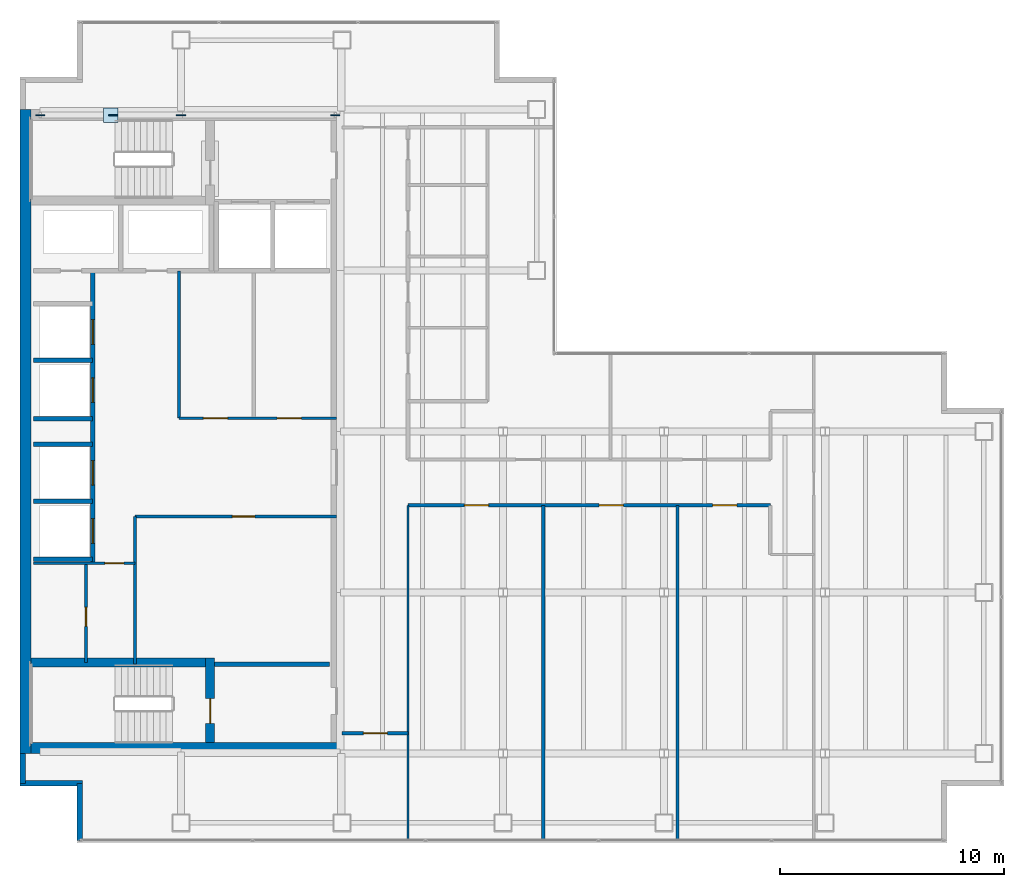
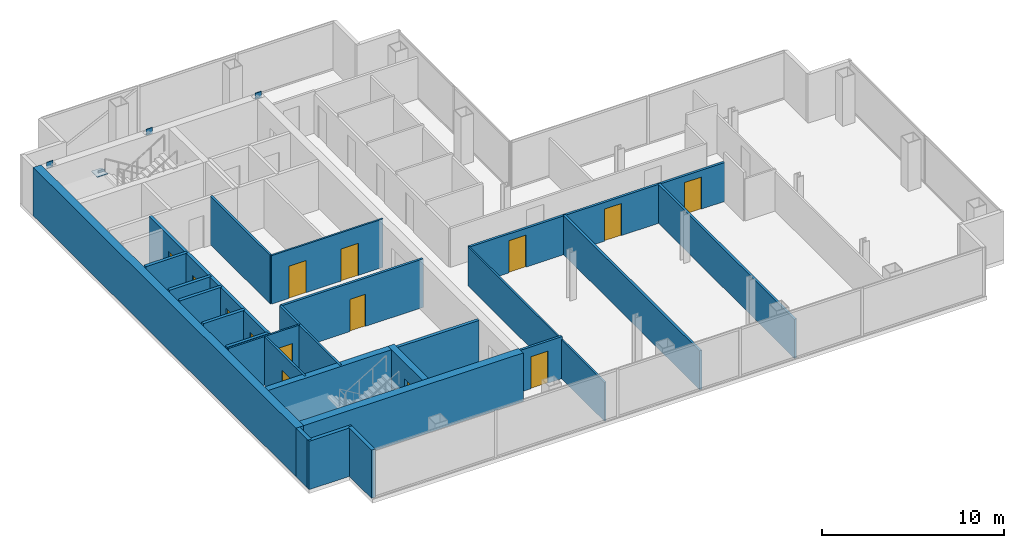
# One storey, part 20 of 23: 26 walls, 14 doors, 5 plates, 14 openings.
"""IFC4 building model written with IfcOpenShell, lengths in metres."""

from ifc_helpers import new_model, si_unit, direction, frame, frame_2d, origin, origin_2d, place, context, subcontext, project, spatial, rectangle, extrude, material, layer, layer_set, type_object, element, fill, save


model = new_model("IFC4")

# Units and contexts
model_context = context("Model", 3, precision=1e-05, world=origin(), true_north=direction((0.0, 1.0)))
body_context = subcontext(model_context, "Body", "Model", "MODEL_VIEW")
ifc_project = project(units=[si_unit("LENGTHUNIT", "METRE"), si_unit("AREAUNIT", "SQUARE_METRE"), si_unit("VOLUMEUNIT", "CUBIC_METRE"), si_unit("PLANEANGLEUNIT", "RADIAN"), si_unit("MASSUNIT", "GRAM", prefix="KILO")], contexts=[model_context])

# Site, building, storey
site_placement = place(None, origin())
site = spatial("IfcSite", under=ifc_project, at=site_placement, CompositionType="ELEMENT")
building_placement = place(site_placement, origin())
building = spatial("IfcBuilding", under=site, at=building_placement, Name="Cobrela Telecom Tower", CompositionType="ELEMENT")
storey_placement = place(building_placement, frame((0.0, 0.0, 194.25)))
storey = spatial("IfcBuildingStorey", under=building, at=storey_placement, Name="L49", CompositionType="ELEMENT", Elevation=194.25)

# Plates
ifc_material_1 = material(Name="Steel ASTM A572 Grade 50", Category="steel")
ifc_layer_1 = layer(ifc_material_1, 0.0419921875)
ifc_layer_set_1 = layer_set([ifc_layer_1], Name="Steel ASTM A572 Grade 50")
plate_type = type_object("IfcPlateType", Name="PLT-NODE-ND1", PredefinedType="USERDEFINED", material=ifc_layer_set_1)
for number, where, z_axis, x_axis, name in (
    (1, (7.199951171875, 35.75, 3.0751953125), (0.0, 0.0, 1.0), (1.0, 0.0, 0.0), "Steel node plate PLT-MBR-EXO-L49-N1-A-1"),
    (2, (4.173828125, 35.75, 1.349609375), (0.0, 0.0, 1.0), (-1.0, 0.0, 0.0), "Steel node plate PLT-MBR-EXO-L49-N1-B1-1"),
    (3, (0.89990234375, 35.75, 3.0751953125), (0.0, 0.0, 1.0), (-1.0, 0.0, 0.0), "Steel node plate PLT-MBR-EXO-L49-N1-B2-1"),
):
    element("IfcPlate", number, at=place(storey_placement, frame(where, z_axis=z_axis, x_axis=x_axis)), inside=storey, type_object=plate_type, Name=name, ObjectType="GUSSET PLATE", PredefinedType="USERDEFINED", context=body_context, shape_type="SweptSolid", body=[
        extrude(rectangle(XDim=0.409912109375, YDim=0.044921875, at=origin_2d()), origin(), (0.0, 0.0, 1.0), 0.409912109375),
    ])
plate_1_placement = place(storey_placement, frame((4.050048828125, 35.75, 1.59765625), z_axis=(0.0, 0.0, 1.0), x_axis=(1.0, 0.0, 0.0)))
element("IfcPlate", 4, at=plate_1_placement, inside=storey, type_object=plate_type, Name="L49 Core Flange Steel X-Brace Central X-Crossing Gusset Plate", ObjectType="GUSSET PLATE", PredefinedType="USERDEFINED", context=body_context, shape_type="SweptSolid", body=[
    extrude(rectangle(XDim=0.64990234375, YDim=0.64990234375, at=origin_2d()), origin(), (0.0, 0.0, 1.0), 0.044921875),
])
plate_2_placement = place(storey_placement, frame((14.10009765625, 35.75, 3.0751953125), z_axis=(0.0, 0.0, 1.0), x_axis=(1.0, 0.0, 0.0)))
element("IfcPlate", 5, at=plate_2_placement, inside=storey, type_object=plate_type, Name="Steel node plate PLT-MBR-EXO-L49-N2-1", ObjectType="GUSSET PLATE", PredefinedType="USERDEFINED", context=body_context, shape_type="SweptSolid", body=[
    extrude(rectangle(XDim=0.409912109375, YDim=0.044921875, at=origin_2d()), origin(), (0.0, 0.0, 1.0), 0.409912109375),
])

# Walls
ifc_material_2 = material(Name="Concrete C40/50", Category="concrete")
ifc_layer_2 = layer(ifc_material_2, 0.5)
ifc_layer_set_2 = layer_set([ifc_layer_2], Name="Concrete C40/50")
wall_type_1 = type_object("IfcWallType", Name="WALL-CORE-C40-500", PredefinedType="SHEAR", material=ifc_layer_set_2)
wall_1_placement = place(storey_placement, frame((0.25, 7.199951171875, 0.0), z_axis=(0.0, 0.0, 1.0), x_axis=(0.0, 1.0, 0.0)))
element("IfcWall", 6, at=wall_1_placement, inside=storey, type_object=wall_type_1, Name="L49 West Core Shear Wall", PredefinedType="SHEAR", context=body_context, shape_type="SweptSolid", body=[
    extrude(rectangle(XDim=28.800048828125, YDim=0.5, at=frame_2d((14.39990234375, 0.0))), origin(), (0.0, 0.0, 1.0), 3.239990234375),
])
wall_2_placement = place(storey_placement, frame((0.5, 7.449951171875, 0.0), z_axis=(0.0, 0.0, 1.0), x_axis=(1.0, 0.0, 0.0)))
element("IfcWall", 7, at=wall_2_placement, inside=storey, type_object=wall_type_1, Name="L49 South Core Shear Wall", PredefinedType="SHEAR", context=body_context, shape_type="SweptSolid", body=[
    extrude(rectangle(XDim=13.89990234375, YDim=0.5, at=frame_2d((6.949951171875, 0.0))), origin(), (0.0, 0.0, 1.0), 3.239990234375),
])
ifc_layer_3 = layer(ifc_material_2, 0.239990234375)
ifc_layer_set_3 = layer_set([ifc_layer_3], Name="Concrete C40/50")
wall_type_2 = type_object("IfcWallType", Name="WALL-EXT-300", PredefinedType="STANDARD", material=ifc_layer_set_3)
wall_3_placement = place(storey_placement, frame((2.669921875, 3.320068359375, 0.0), z_axis=(0.0, 0.0, 1.0), x_axis=(0.0, 1.0, 0.0)))
element("IfcWall", 8, at=wall_3_placement, inside=storey, type_object=wall_type_2, Name="L49 Insulated Facade Wall 01", PredefinedType="STANDARD", context=body_context, shape_type="SweptSolid", body=[
    extrude(rectangle(XDim=2.550048828125, YDim=0.239990234375, at=frame_2d((1.27490234375, 0.0))), origin(), (0.0, 0.0, 1.0), 3.239990234375),
])
wall_4_placement = place(storey_placement, frame((2.7900390625, 5.8701171875, 0.0), z_axis=(0.0, 0.0, 1.0), x_axis=(-1.0, 0.0, 0.0)))
element("IfcWall", 9, at=wall_4_placement, inside=storey, type_object=wall_type_2, Name="L49 Insulated Facade Wall 02", PredefinedType="STANDARD", context=body_context, shape_type="SweptSolid", body=[
    extrude(rectangle(XDim=2.7900390625, YDim=0.239990234375, at=frame_2d((1.39501953125, 0.0))), origin(), (0.0, 0.0, 1.0), 3.239990234375),
])
wall_5_placement = place(storey_placement, frame((0.1201171875, 5.8701171875, 0.0), z_axis=(0.0, 0.0, 1.0), x_axis=(0.0, 1.0, 0.0)))
element("IfcWall", 10, at=wall_5_placement, inside=storey, type_object=wall_type_2, Name="L49 Insulated Facade Wall 03", PredefinedType="STANDARD", context=body_context, shape_type="SweptSolid", body=[
    extrude(rectangle(XDim=1.329833984375, YDim=0.239990234375, at=frame_2d((0.6650390625, 0.0))), origin(), (0.0, 0.0, 1.0), 3.239990234375),
])

# Wall, openings, doors
ifc_material_3 = material(Name="Fire-Rated Gypsum Plasterboard")
ifc_layer_4 = layer(ifc_material_3, 0.110107421875)
ifc_layer_set_4 = layer_set([ifc_layer_4], Name="Fire-Rated Gypsum Plasterboard")
wall_type_3 = type_object("IfcWallType", Name="WALL-PART-110", PredefinedType="PARTITIONING", material=ifc_layer_set_4)
wall_6_placement = place(storey_placement, frame((7.10009765625, 22.199951171875, 0.0), z_axis=(0.0, 0.0, 1.0), x_axis=(1.0, 0.0, 0.0)))
wall_6 = element("IfcWall", 11, at=wall_6_placement, inside=storey, type_object=wall_type_3, Name="L49 Interior Partition CW-RECL-S", PredefinedType="PARTITIONING", context=body_context, shape_type="SweptSolid", body=[
    extrude(rectangle(XDim=7.0498046875, YDim=0.110107421875, at=frame_2d((3.52490234375, 0.0))), origin(), (0.0, 0.0, 1.0), 3.239990234375),
])
opening_1_placement = place(wall_6_placement, frame((1.10009765625, 0.0, 0.0)))
opening_1 = element("IfcOpeningElement", 12, at=opening_1_placement, cuts=wall_6, Name="Opening DR-63", PredefinedType="OPENING", context=body_context, shape_type="SweptSolid", body=[
    extrude(rectangle(XDim=1.080078125, YDim=2.14990234375, at=frame_2d((0.5400390625, 1.074951171875))), frame((0.0, 0.06689453125, 0.0), z_axis=(0.0, -1.0, 0.0), x_axis=(1.0, 0.0, 0.0)), (0.0, 0.0, 1.0), 0.134033203125),
])
opening_2_placement = place(wall_6_placement, frame((4.39990234375, 0.0, 0.0)))
opening_2 = element("IfcOpeningElement", 13, at=opening_2_placement, cuts=wall_6, Name="Opening DR-63", PredefinedType="OPENING", context=body_context, shape_type="SweptSolid", body=[
    extrude(rectangle(XDim=1.080078125, YDim=2.14990234375, at=frame_2d((0.5400390625, 1.074951171875))), frame((0.0, 0.06689453125, 0.0), z_axis=(0.0, -1.0, 0.0), x_axis=(1.0, 0.0, 0.0)), (0.0, 0.0, 1.0), 0.134033203125),
])
ifc_material_4 = material(Name="Solid Engineered Oak Timber", Category="wood")
door_type_1 = type_object("IfcDoorType", Name="DOOR-INT-1080", OperationType="SINGLE_SWING_LEFT", PredefinedType="DOOR", material=ifc_material_4)
door_1_placement = place(opening_1_placement, origin())
door_1 = element("IfcDoor", 14, at=door_1_placement, inside=storey, type_object=door_type_1, Name="L49 Door DR-63", OperationType="SINGLE_SWING_LEFT", OverallHeight=2.14990234375, OverallWidth=1.080078125, PredefinedType="DOOR", context=body_context, shape_type="SweptSolid", body=[
    extrude(rectangle(XDim=1.080078125, YDim=2.14990234375, at=frame_2d((0.5400390625, 1.074951171875))), frame((0.0, 0.02490234375, 0.0), z_axis=(0.0, -1.0, 0.0), x_axis=(1.0, 0.0, 0.0)), (0.0, 0.0, 1.0), 0.050048828125),
])
fill(opening_1, door_1)
door_2_placement = place(opening_2_placement, origin())
door_2 = element("IfcDoor", 15, at=door_2_placement, inside=storey, type_object=door_type_1, Name="L49 Door DR-63", OperationType="SINGLE_SWING_RIGHT", OverallHeight=2.14990234375, OverallWidth=1.080078125, PredefinedType="DOOR", context=body_context, shape_type="SweptSolid", body=[
    extrude(rectangle(XDim=1.080078125, YDim=2.14990234375, at=frame_2d((0.5400390625, 1.074951171875))), frame((0.0, 0.02490234375, 0.0), z_axis=(0.0, -1.0, 0.0), x_axis=(1.0, 0.0, 0.0)), (0.0, 0.0, 1.0), 0.050048828125),
])
fill(opening_2, door_2)

# Wall, opening, door
wall_7_placement = place(storey_placement, frame((0.60009765625, 15.699951171875, 0.0), z_axis=(0.0, 0.0, 1.0), x_axis=(1.0, 0.0, 0.0)))
wall_7 = element("IfcWall", 16, at=wall_7_placement, inside=storey, type_object=wall_type_3, Name="L49 Interior Partition CW-FLEX-N", PredefinedType="PARTITIONING", context=body_context, shape_type="SweptSolid", body=[
    extrude(rectangle(XDim=4.5498046875, YDim=0.110107421875, at=frame_2d((2.27490234375, 0.0))), origin(), (0.0, 0.0, 1.0), 3.239990234375),
])
opening_3_placement = place(wall_7_placement, frame((3.199951171875, 0.0, 0.0)))
opening_3 = element("IfcOpeningElement", 17, at=opening_3_placement, cuts=wall_7, Name="Opening DR-11", PredefinedType="OPENING", context=body_context, shape_type="SweptSolid", body=[
    extrude(rectangle(XDim=0.85009765625, YDim=2.14990234375, at=frame_2d((0.425048828125, 1.074951171875))), frame((0.0, 0.06689453125, 0.0), z_axis=(0.0, -1.0, 0.0), x_axis=(1.0, 0.0, 0.0)), (0.0, 0.0, 1.0), 0.134033203125),
])
door_type_2 = type_object("IfcDoorType", Name="DOOR-INT-850", OperationType="SINGLE_SWING_LEFT", PredefinedType="DOOR", material=ifc_material_4)
door_3_placement = place(opening_3_placement, origin())
door_3 = element("IfcDoor", 18, at=door_3_placement, inside=storey, type_object=door_type_2, Name="L49 Door DR-11", OperationType="SINGLE_SWING_LEFT", OverallHeight=2.14990234375, OverallWidth=0.85009765625, PredefinedType="DOOR", context=body_context, shape_type="SweptSolid", body=[
    extrude(rectangle(XDim=0.85009765625, YDim=2.14990234375, at=frame_2d((0.425048828125, 1.074951171875))), frame((0.0, 0.02490234375, 0.0), z_axis=(0.0, -1.0, 0.0), x_axis=(1.0, 0.0, 0.0)), (0.0, 0.0, 1.0), 0.050048828125),
])
fill(opening_3, door_3)

# Walls
wall_8_placement = place(storey_placement, frame((17.35009765625, 8.10009765625, 0.0), z_axis=(0.0, 0.0, 1.0), x_axis=(0.0, 1.0, 0.0)))
element("IfcWall", 19, at=wall_8_placement, inside=storey, type_object=wall_type_3, Name="L49 Interior Partition W-C-E1", PredefinedType="PARTITIONING", context=body_context, shape_type="SweptSolid", body=[
    extrude(rectangle(XDim=10.199951171875, YDim=0.110107421875, at=frame_2d((5.10009765625, 0.0))), origin(), (0.0, 0.0, 1.0), 2.60302734375),
])
wall_9_placement = place(storey_placement, frame((17.35009765625, 3.320068359375, 0.0), z_axis=(0.0, 0.0, 1.0), x_axis=(0.0, 1.0, 0.0)))
element("IfcWall", 20, at=wall_9_placement, inside=storey, type_object=wall_type_3, Name="L49 Interior Partition W-SW-E", PredefinedType="PARTITIONING", context=body_context, shape_type="SweptSolid", body=[
    extrude(rectangle(XDim=4.780029296875, YDim=0.110107421875, at=frame_2d((2.39013671875, 0.0))), origin(), (0.0, 0.0, 1.0), 2.60302734375),
])

# Wall, opening, door
ifc_layer_5 = layer(ifc_material_3, 0.125)
ifc_layer_set_5 = layer_set([ifc_layer_5], Name="Fire-Rated Gypsum Plasterboard")
wall_type_4 = type_object("IfcWallType", Name="WALL-PART-125", PredefinedType="PARTITIONING", material=ifc_layer_set_5)
wall_10_placement = place(storey_placement, frame((2.949951171875, 11.280029296875, 0.0), z_axis=(0.0, 0.0, 1.0), x_axis=(0.0, 1.0, 0.0)))
wall_10 = element("IfcWall", 21, at=wall_10_placement, inside=storey, type_object=wall_type_4, Name="L49 Interior Partition CW-FK1-V", PredefinedType="PARTITIONING", context=body_context, shape_type="SweptSolid", body=[
    extrude(rectangle(XDim=4.419921875, YDim=0.125, at=frame_2d((2.2099609375, 0.0))), origin(), (0.0, 0.0, 1.0), 3.239990234375),
])
opening_4_placement = place(wall_10_placement, frame((1.60009765625, 0.0, 0.0)))
opening_4 = element("IfcOpeningElement", 22, at=opening_4_placement, cuts=wall_10, Name="Opening DR-11", PredefinedType="OPENING", context=body_context, shape_type="SweptSolid", body=[
    extrude(rectangle(XDim=0.85009765625, YDim=2.14990234375, at=frame_2d((0.425048828125, 1.074951171875))), frame((0.0, 0.074462890625, 0.0), z_axis=(0.0, -1.0, 0.0), x_axis=(1.0, 0.0, 0.0)), (0.0, 0.0, 1.0), 0.14892578125),
])
door_4_placement = place(opening_4_placement, origin())
door_4 = element("IfcDoor", 23, at=door_4_placement, inside=storey, type_object=door_type_2, Name="L49 Door DR-11", OperationType="SINGLE_SWING_RIGHT", OverallHeight=2.14990234375, OverallWidth=0.85009765625, PredefinedType="DOOR", context=body_context, shape_type="SweptSolid", body=[
    extrude(rectangle(XDim=0.85009765625, YDim=2.14990234375, at=frame_2d((0.425048828125, 1.074951171875))), frame((0.0, 0.02490234375, 0.0), z_axis=(0.0, -1.0, 0.0), x_axis=(1.0, 0.0, 0.0)), (0.0, 0.0, 1.0), 0.050048828125),
])
fill(opening_4, door_4)

# Walls
ifc_layer_6 = layer(ifc_material_3, 0.135009765625)
ifc_layer_set_6 = layer_set([ifc_layer_6], Name="Fire-Rated Gypsum Plasterboard")
wall_type_5 = type_object("IfcWallType", Name="WALL-PART-135", PredefinedType="PARTITIONING", material=ifc_layer_set_6)
wall_11_placement = place(storey_placement, frame((7.10009765625, 22.199951171875, 0.0), z_axis=(0.0, 0.0, 1.0), x_axis=(0.0, 1.0, 0.0)))
element("IfcWall", 24, at=wall_11_placement, inside=storey, type_object=wall_type_5, Name="L49 Interior Partition CW-RECL-W", PredefinedType="PARTITIONING", context=body_context, shape_type="SweptSolid", body=[
    extrude(rectangle(XDim=6.580078125, YDim=0.135009765625, at=frame_2d((3.2900390625, 0.0))), origin(), (0.0, 0.0, 1.0), 3.239990234375),
])
wall_12_placement = place(storey_placement, frame((5.14990234375, 11.199951171875, 0.0), z_axis=(0.0, 0.0, 1.0), x_axis=(0.0, 1.0, 0.0)))
element("IfcWall", 25, at=wall_12_placement, inside=storey, type_object=wall_type_5, Name="L49 Interior Partition CW-RECM-W", PredefinedType="PARTITIONING", context=body_context, shape_type="SweptSolid", body=[
    extrude(rectangle(XDim=6.60009765625, YDim=0.135009765625, at=frame_2d((3.300048828125, 0.0))), origin(), (0.0, 0.0, 1.0), 3.239990234375),
])

# Wall, opening, door
ifc_layer_7 = layer(ifc_material_3, 0.14990234375)
ifc_layer_set_7 = layer_set([ifc_layer_7], Name="Fire-Rated Gypsum Plasterboard")
wall_type_6 = type_object("IfcWallType", Name="WALL-PART-150", PredefinedType="PARTITIONING", material=ifc_layer_set_7)
wall_13_placement = place(storey_placement, frame((5.14990234375, 17.800048828125, 0.0), z_axis=(0.0, 0.0, 1.0), x_axis=(1.0, 0.0, 0.0)))
wall_13 = element("IfcWall", 26, at=wall_13_placement, inside=storey, type_object=wall_type_6, Name="L49 Interior Partition CW-RECM-N", PredefinedType="PARTITIONING", context=body_context, shape_type="SweptSolid", body=[
    extrude(rectangle(XDim=9.0, YDim=0.14990234375, at=frame_2d((4.5, 0.0))), origin(), (0.0, 0.0, 1.0), 3.239990234375),
])
opening_5_placement = place(wall_13_placement, frame((4.35009765625, 0.0, 0.0)))
opening_5 = element("IfcOpeningElement", 27, at=opening_5_placement, cuts=wall_13, Name="Opening DR-31", PredefinedType="OPENING", context=body_context, shape_type="SweptSolid", body=[
    extrude(rectangle(XDim=1.0, YDim=2.14990234375, at=frame_2d((0.5, 1.074951171875))), frame((0.0, 0.0869140625, 0.0), z_axis=(0.0, -1.0, 0.0), x_axis=(1.0, 0.0, 0.0)), (0.0, 0.0, 1.0), 0.173828125),
])
door_type_3 = type_object("IfcDoorType", Name="DOOR-INT-1000", OperationType="SINGLE_SWING_LEFT", PredefinedType="DOOR", material=ifc_material_4)
door_5_placement = place(opening_5_placement, origin())
door_5 = element("IfcDoor", 28, at=door_5_placement, inside=storey, type_object=door_type_3, Name="L49 Door DR-31", OperationType="SINGLE_SWING_LEFT", OverallHeight=2.14990234375, OverallWidth=1.0, PredefinedType="DOOR", context=body_context, shape_type="SweptSolid", body=[
    extrude(rectangle(XDim=1.0, YDim=2.14990234375, at=frame_2d((0.5, 1.074951171875))), frame((0.0, 0.02490234375, 0.0), z_axis=(0.0, -1.0, 0.0), x_axis=(1.0, 0.0, 0.0)), (0.0, 0.0, 1.0), 0.050048828125),
])
fill(opening_5, door_5)

wall_14_placement = place(storey_placement, frame((14.39990234375, 8.10009765625, 0.0), z_axis=(0.0, 0.0, 1.0), x_axis=(1.0, 0.0, 0.0)))
wall_14 = element("IfcWall", 29, at=wall_14_placement, inside=storey, type_object=wall_type_6, Name="L49 Interior Partition W-C-S0", PredefinedType="PARTITIONING", context=body_context, shape_type="SweptSolid", body=[
    extrude(rectangle(XDim=2.9501953125, YDim=0.14990234375, at=frame_2d((1.47509765625, 0.0))), origin(), (0.0, 0.0, 1.0), 2.80810546875),
])
opening_6_placement = place(wall_14_placement, frame((0.949951171875, 0.0, 0.0)))
opening_6 = element("IfcOpeningElement", 30, at=opening_6_placement, cuts=wall_14, Name="Opening DR-63", PredefinedType="OPENING", context=body_context, shape_type="SweptSolid", body=[
    extrude(rectangle(XDim=1.080078125, YDim=2.14990234375, at=frame_2d((0.5400390625, 1.074951171875))), frame((0.0, 0.0869140625, 0.0), z_axis=(0.0, -1.0, 0.0), x_axis=(1.0, 0.0, 0.0)), (0.0, 0.0, 1.0), 0.173828125),
])
door_6_placement = place(opening_6_placement, origin())
door_6 = element("IfcDoor", 31, at=door_6_placement, inside=storey, type_object=door_type_1, Name="L49 Door DR-63", OperationType="SINGLE_SWING_RIGHT", OverallHeight=2.14990234375, OverallWidth=1.080078125, PredefinedType="DOOR", context=body_context, shape_type="SweptSolid", body=[
    extrude(rectangle(XDim=1.080078125, YDim=2.14990234375, at=frame_2d((0.5400390625, 1.074951171875))), frame((0.0, 0.02490234375, 0.0), z_axis=(0.0, -1.0, 0.0), x_axis=(1.0, 0.0, 0.0)), (0.0, 0.0, 1.0), 0.050048828125),
])
fill(opening_6, door_6)

# Wall, openings, doors
wall_15_placement = place(storey_placement, frame((17.35009765625, 18.300048828125, 0.0), z_axis=(0.0, 0.0, 1.0), x_axis=(1.0, 0.0, 0.0)))
wall_15 = element("IfcWall", 32, at=wall_15_placement, inside=storey, type_object=wall_type_6, Name="L49 Interior Partition W-C-HS", PredefinedType="PARTITIONING", context=body_context, shape_type="SweptSolid", body=[
    extrude(rectangle(XDim=16.199951171875, YDim=0.14990234375, at=frame_2d((8.10009765625, 0.0))), origin(), (0.0, 0.0, 1.0), 2.60302734375),
])
opening_7_placement = place(wall_15_placement, frame((2.52001953125, 0.0, 0.0)))
opening_7 = element("IfcOpeningElement", 33, at=opening_7_placement, cuts=wall_15, Name="Opening DR-63", PredefinedType="OPENING", context=body_context, shape_type="SweptSolid", body=[
    extrude(rectangle(XDim=1.080078125, YDim=2.14990234375, at=frame_2d((0.5400390625, 1.074951171875))), frame((0.0, 0.0869140625, 0.0), z_axis=(0.0, -1.0, 0.0), x_axis=(1.0, 0.0, 0.0)), (0.0, 0.0, 1.0), 0.173828125),
])
opening_8_placement = place(wall_15_placement, frame((8.550048828125, 0.0, 0.0)))
opening_8 = element("IfcOpeningElement", 34, at=opening_8_placement, cuts=wall_15, Name="Opening DR-63", PredefinedType="OPENING", context=body_context, shape_type="SweptSolid", body=[
    extrude(rectangle(XDim=1.080078125, YDim=2.14990234375, at=frame_2d((0.5400390625, 1.074951171875))), frame((0.0, 0.0869140625, 0.0), z_axis=(0.0, -1.0, 0.0), x_axis=(1.0, 0.0, 0.0)), (0.0, 0.0, 1.0), 0.173828125),
])
opening_9_placement = place(wall_15_placement, frame((13.6201171875, 0.0, 0.0)))
opening_9 = element("IfcOpeningElement", 35, at=opening_9_placement, cuts=wall_15, Name="Opening DR-63", PredefinedType="OPENING", context=body_context, shape_type="SweptSolid", body=[
    extrude(rectangle(XDim=1.080078125, YDim=2.14990234375, at=frame_2d((0.5400390625, 1.074951171875))), frame((0.0, 0.0869140625, 0.0), z_axis=(0.0, -1.0, 0.0), x_axis=(1.0, 0.0, 0.0)), (0.0, 0.0, 1.0), 0.173828125),
])
door_7_placement = place(opening_7_placement, origin())
door_7 = element("IfcDoor", 36, at=door_7_placement, inside=storey, type_object=door_type_1, Name="L49 Door DR-63", OperationType="SINGLE_SWING_LEFT", OverallHeight=2.14990234375, OverallWidth=1.080078125, PredefinedType="DOOR", context=body_context, shape_type="SweptSolid", body=[
    extrude(rectangle(XDim=1.080078125, YDim=2.14990234375, at=frame_2d((0.5400390625, 1.074951171875))), frame((0.0, 0.02490234375, 0.0), z_axis=(0.0, -1.0, 0.0), x_axis=(1.0, 0.0, 0.0)), (0.0, 0.0, 1.0), 0.050048828125),
])
fill(opening_7, door_7)
door_8_placement = place(opening_8_placement, origin())
door_8 = element("IfcDoor", 37, at=door_8_placement, inside=storey, type_object=door_type_1, Name="L49 Door DR-63", OperationType="SINGLE_SWING_RIGHT", OverallHeight=2.14990234375, OverallWidth=1.080078125, PredefinedType="DOOR", context=body_context, shape_type="SweptSolid", body=[
    extrude(rectangle(XDim=1.080078125, YDim=2.14990234375, at=frame_2d((0.5400390625, 1.074951171875))), frame((0.0, 0.02490234375, 0.0), z_axis=(0.0, -1.0, 0.0), x_axis=(1.0, 0.0, 0.0)), (0.0, 0.0, 1.0), 0.050048828125),
])
fill(opening_8, door_8)
door_9_placement = place(opening_9_placement, origin())
door_9 = element("IfcDoor", 38, at=door_9_placement, inside=storey, type_object=door_type_1, Name="L49 Door DR-63", OperationType="SINGLE_SWING_LEFT", OverallHeight=2.14990234375, OverallWidth=1.080078125, PredefinedType="DOOR", context=body_context, shape_type="SweptSolid", body=[
    extrude(rectangle(XDim=1.080078125, YDim=2.14990234375, at=frame_2d((0.5400390625, 1.074951171875))), frame((0.0, 0.02490234375, 0.0), z_axis=(0.0, -1.0, 0.0), x_axis=(1.0, 0.0, 0.0)), (0.0, 0.0, 1.0), 0.050048828125),
])
fill(opening_9, door_9)

# Walls
wall_16_placement = place(storey_placement, frame((29.39990234375, 3.320068359375, 0.0), z_axis=(0.0, 0.0, 1.0), x_axis=(0.0, 1.0, 0.0)))
element("IfcWall", 39, at=wall_16_placement, inside=storey, type_object=wall_type_6, Name="L49 Interior Partition W-SV-2", PredefinedType="PARTITIONING", context=body_context, shape_type="SweptSolid", body=[
    extrude(rectangle(XDim=14.97998046875, YDim=0.14990234375, at=frame_2d((7.489990234375, 0.0))), origin(), (0.0, 0.0, 1.0), 2.60302734375),
])
ifc_layer_8 = layer(ifc_material_3, 0.159912109375)
ifc_layer_set_8 = layer_set([ifc_layer_8], Name="Fire-Rated Gypsum Plasterboard")
wall_type_7 = type_object("IfcWallType", Name="WALL-PART-160", PredefinedType="PARTITIONING", material=ifc_layer_set_8)
wall_17_placement = place(storey_placement, frame((23.39990234375, 3.320068359375, 0.0), z_axis=(0.0, 0.0, 1.0), x_axis=(0.0, 1.0, 0.0)))
element("IfcWall", 40, at=wall_17_placement, inside=storey, type_object=wall_type_7, Name="L49 Interior Partition W-SV-1", PredefinedType="PARTITIONING", context=body_context, shape_type="SweptSolid", body=[
    extrude(rectangle(XDim=14.97998046875, YDim=0.159912109375, at=frame_2d((7.489990234375, 0.0))), origin(), (0.0, 0.0, 1.0), 2.60302734375),
])
ifc_layer_9 = layer(ifc_material_3, 0.199951171875)
ifc_layer_set_9 = layer_set([ifc_layer_9], Name="Fire-Rated Gypsum Plasterboard")
wall_type_8 = type_object("IfcWallType", Name="WALL-SHAFT-200", PredefinedType="PARTITIONING", material=ifc_layer_set_9)
wall_18_placement = place(storey_placement, frame((8.699951171875, 11.199951171875, 0.0), z_axis=(0.0, 0.0, 1.0), x_axis=(1.0, 0.0, 0.0)))
element("IfcWall", 41, at=wall_18_placement, inside=storey, type_object=wall_type_8, Name="L49 Shaft Enclosure CW-ST2L-N", PredefinedType="PARTITIONING", context=body_context, shape_type="SweptSolid", body=[
    extrude(rectangle(XDim=5.150146484375, YDim=0.199951171875, at=frame_2d((2.5751953125, 0.0))), origin(), (0.0, 0.0, 1.0), 3.239990234375),
])

# Wall, openings, doors
wall_19_placement = place(storey_placement, frame((3.25, 15.699951171875, 0.0), z_axis=(0.0, 0.0, 1.0), x_axis=(0.0, 1.0, 0.0)))
wall_19 = element("IfcWall", 42, at=wall_19_placement, inside=storey, type_object=wall_type_8, Name="L49 Shaft Enclosure CW-PLH-E", PredefinedType="PARTITIONING", context=body_context, shape_type="SweptSolid", body=[
    extrude(rectangle(XDim=13.080078125, YDim=0.199951171875, at=frame_2d((6.5400390625, 0.0))), origin(), (0.0, 0.0, 1.0), 3.239990234375),
])
opening_10_placement = place(wall_19_placement, frame((0.89990234375, 0.0, 0.0)))
opening_10 = element("IfcOpeningElement", 43, at=opening_10_placement, cuts=wall_19, Name="Opening LD-1", PredefinedType="OPENING", context=body_context, shape_type="SweptSolid", body=[
    extrude(rectangle(XDim=1.10009765625, YDim=2.199951171875, at=frame_2d((0.550048828125, 1.10009765625))), frame((0.0, 0.11181640625, 0.0), z_axis=(0.0, -1.0, 0.0), x_axis=(1.0, 0.0, 0.0)), (0.0, 0.0, 1.0), 0.223876953125),
])
opening_11_placement = place(wall_19_placement, frame((3.5, 0.0, 0.0)))
opening_11 = element("IfcOpeningElement", 44, at=opening_11_placement, cuts=wall_19, Name="Opening LD-1", PredefinedType="OPENING", context=body_context, shape_type="SweptSolid", body=[
    extrude(rectangle(XDim=1.10009765625, YDim=2.199951171875, at=frame_2d((0.550048828125, 1.10009765625))), frame((0.0, 0.11181640625, 0.0), z_axis=(0.0, -1.0, 0.0), x_axis=(1.0, 0.0, 0.0)), (0.0, 0.0, 1.0), 0.223876953125),
])
opening_12_placement = place(wall_19_placement, frame((7.199951171875, 0.0, 0.0)))
opening_12 = element("IfcOpeningElement", 45, at=opening_12_placement, cuts=wall_19, Name="Opening LD-1", PredefinedType="OPENING", context=body_context, shape_type="SweptSolid", body=[
    extrude(rectangle(XDim=1.10009765625, YDim=2.199951171875, at=frame_2d((0.550048828125, 1.10009765625))), frame((0.0, 0.11181640625, 0.0), z_axis=(0.0, -1.0, 0.0), x_axis=(1.0, 0.0, 0.0)), (0.0, 0.0, 1.0), 0.223876953125),
])
opening_13_placement = place(wall_19_placement, frame((9.800048828125, 0.0, 0.0)))
opening_13 = element("IfcOpeningElement", 46, at=opening_13_placement, cuts=wall_19, Name="Opening LD-1", PredefinedType="OPENING", context=body_context, shape_type="SweptSolid", body=[
    extrude(rectangle(XDim=1.10009765625, YDim=2.199951171875, at=frame_2d((0.550048828125, 1.10009765625))), frame((0.0, 0.11181640625, 0.0), z_axis=(0.0, -1.0, 0.0), x_axis=(1.0, 0.0, 0.0)), (0.0, 0.0, 1.0), 0.223876953125),
])
ifc_material_5 = material(Name="Steel ASTM A36", Category="steel")
door_type_4 = type_object("IfcDoorType", Name="DOOR-LD-PL", OperationType="SINGLE_SWING_LEFT", PredefinedType="DOOR", material=ifc_material_5)
door_10_placement = place(opening_10_placement, origin())
door_10 = element("IfcDoor", 47, at=door_10_placement, inside=storey, type_object=door_type_4, Name="L49 Lift Landing Door LD-1", OperationType="DOUBLE_DOOR_SLIDING", OverallHeight=2.199951171875, OverallWidth=1.10009765625, PredefinedType="DOOR", context=body_context, shape_type="SweptSolid", body=[
    extrude(rectangle(XDim=1.10009765625, YDim=2.199951171875, at=frame_2d((0.550048828125, 1.10009765625))), frame((0.0, 0.02490234375, 0.0), z_axis=(0.0, -1.0, 0.0), x_axis=(1.0, 0.0, 0.0)), (0.0, 0.0, 1.0), 0.050048828125),
])
fill(opening_10, door_10)
door_11_placement = place(opening_11_placement, origin())
door_11 = element("IfcDoor", 48, at=door_11_placement, inside=storey, type_object=door_type_4, Name="L49 Lift Landing Door LD-1", OperationType="DOUBLE_DOOR_SLIDING", OverallHeight=2.199951171875, OverallWidth=1.10009765625, PredefinedType="DOOR", context=body_context, shape_type="SweptSolid", body=[
    extrude(rectangle(XDim=1.10009765625, YDim=2.199951171875, at=frame_2d((0.550048828125, 1.10009765625))), frame((0.0, 0.02490234375, 0.0), z_axis=(0.0, -1.0, 0.0), x_axis=(1.0, 0.0, 0.0)), (0.0, 0.0, 1.0), 0.050048828125),
])
fill(opening_11, door_11)
door_12_placement = place(opening_12_placement, origin())
door_12 = element("IfcDoor", 49, at=door_12_placement, inside=storey, type_object=door_type_4, Name="L49 Lift Landing Door LD-1", OperationType="DOUBLE_DOOR_SLIDING", OverallHeight=2.199951171875, OverallWidth=1.10009765625, PredefinedType="DOOR", context=body_context, shape_type="SweptSolid", body=[
    extrude(rectangle(XDim=1.10009765625, YDim=2.199951171875, at=frame_2d((0.550048828125, 1.10009765625))), frame((0.0, 0.02490234375, 0.0), z_axis=(0.0, -1.0, 0.0), x_axis=(1.0, 0.0, 0.0)), (0.0, 0.0, 1.0), 0.050048828125),
])
fill(opening_12, door_12)
door_13_placement = place(opening_13_placement, origin())
door_13 = element("IfcDoor", 50, at=door_13_placement, inside=storey, type_object=door_type_4, Name="L49 Lift Landing Door LD-1", OperationType="DOUBLE_DOOR_SLIDING", OverallHeight=2.199951171875, OverallWidth=1.10009765625, PredefinedType="DOOR", context=body_context, shape_type="SweptSolid", body=[
    extrude(rectangle(XDim=1.10009765625, YDim=2.199951171875, at=frame_2d((0.550048828125, 1.10009765625))), frame((0.0, 0.02490234375, 0.0), z_axis=(0.0, -1.0, 0.0), x_axis=(1.0, 0.0, 0.0)), (0.0, 0.0, 1.0), 0.050048828125),
])
fill(opening_13, door_13)

# Walls
for number, where, z_axis, x_axis, name in (
    (51, (0.60009765625, 15.8798828125, 0.0), (0.0, 0.0, 1.0), (1.0, 0.0, 0.0), "L49 Shaft Enclosure CW-PLH-D9"),
    (52, (0.60009765625, 18.47998046875, 0.0), (0.0, 0.0, 1.0), (1.0, 0.0, 0.0), "L49 Shaft Enclosure CW-PLH-D10"),
    (53, (0.60009765625, 22.179931640625, 0.0), (0.0, 0.0, 1.0), (1.0, 0.0, 0.0), "L49 Shaft Enclosure CW-PLH-D11"),
    (54, (0.60009765625, 24.780029296875, 0.0), (0.0, 0.0, 1.0), (1.0, 0.0, 0.0), "L49 Shaft Enclosure CW-PLH-D12"),
    (55, (0.60009765625, 21.02001953125, 0.0), (0.0, 0.0, 1.0), (1.0, 0.0, 0.0), "L49 Shaft Enclosure CW-PLH-MID"),
):
    element("IfcWall", number, at=place(storey_placement, frame(where, z_axis=z_axis, x_axis=x_axis)), inside=storey, type_object=wall_type_8, Name=name, PredefinedType="PARTITIONING", context=body_context, shape_type="SweptSolid", body=[
        extrude(rectangle(XDim=2.64990234375, YDim=0.199951171875, at=frame_2d((1.324951171875, 0.0))), origin(), (0.0, 0.0, 1.0), 3.239990234375),
    ])
ifc_layer_10 = layer(ifc_material_2, 0.39990234375)
ifc_layer_set_10 = layer_set([ifc_layer_10], Name="Concrete C40/50")
wall_type_9 = type_object("IfcWallType", Name="WALL-SHAFT-C40-400", PredefinedType="SHEAR", material=ifc_layer_set_10)
wall_20_placement = place(storey_placement, frame((0.5, 11.280029296875, 0.0), z_axis=(0.0, 0.0, 1.0), x_axis=(1.0, 0.0, 0.0)))
element("IfcWall", 56, at=wall_20_placement, inside=storey, type_object=wall_type_9, Name="L49 South Stair Shear Wall", PredefinedType="SHEAR", context=body_context, shape_type="SweptSolid", body=[
    extrude(rectangle(XDim=7.800048828125, YDim=0.39990234375, at=frame_2d((3.89990234375, 0.0))), origin(), (0.0, 0.0, 1.0), 3.239990234375),
])

# Wall, opening, door
wall_21_placement = place(storey_placement, frame((8.5, 7.699951171875, 0.0), z_axis=(0.0, 0.0, 1.0), x_axis=(0.0, 1.0, 0.0)))
wall_21 = element("IfcWall", 57, at=wall_21_placement, inside=storey, type_object=wall_type_9, Name="L49 South Stair Lobby Shear Wall", PredefinedType="SHEAR", context=body_context, shape_type="SweptSolid", body=[
    extrude(rectangle(XDim=3.780029296875, YDim=0.39990234375, at=frame_2d((1.89013671875, 0.0))), origin(), (0.0, 0.0, 1.0), 3.239990234375),
])
opening_14_placement = place(wall_21_placement, frame((0.85009765625, 0.0, 0.0)))
opening_14 = element("IfcOpeningElement", 58, at=opening_14_placement, cuts=wall_21, Name="Opening FD-90", PredefinedType="OPENING", context=body_context, shape_type="SweptSolid", body=[
    extrude(rectangle(XDim=1.10009765625, YDim=2.14990234375, at=frame_2d((0.550048828125, 1.074951171875))), frame((0.0, 0.2119140625, 0.0), z_axis=(0.0, -1.0, 0.0), x_axis=(1.0, 0.0, 0.0)), (0.0, 0.0, 1.0), 0.423828125),
])
door_type_5 = type_object("IfcDoorType", Name="DOOR-FD90-1100", OperationType="SINGLE_SWING_LEFT", PredefinedType="DOOR", material=ifc_material_5)
door_14_placement = place(opening_14_placement, origin())
door_14 = element("IfcDoor", 59, at=door_14_placement, inside=storey, type_object=door_type_5, Name="L49 Door FD-90", OperationType="SINGLE_SWING_LEFT", OverallHeight=2.14990234375, OverallWidth=1.10009765625, PredefinedType="DOOR", context=body_context, shape_type="SweptSolid", body=[
    extrude(rectangle(XDim=1.10009765625, YDim=2.14990234375, at=frame_2d((0.550048828125, 1.074951171875))), frame((0.0, 0.02490234375, 0.0), z_axis=(0.0, -1.0, 0.0), x_axis=(1.0, 0.0, 0.0)), (0.0, 0.0, 1.0), 0.050048828125),
])
fill(opening_14, door_14)

save(model, "model.ifc")
